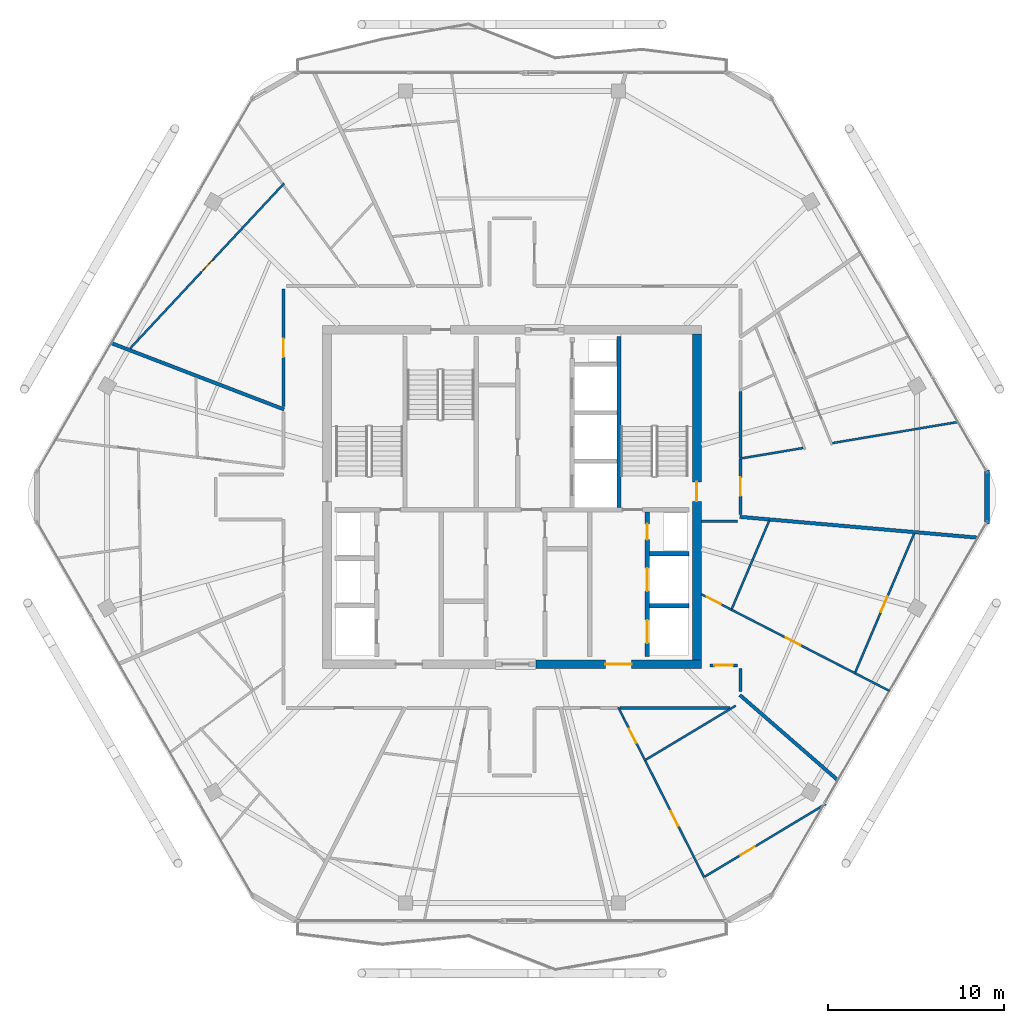
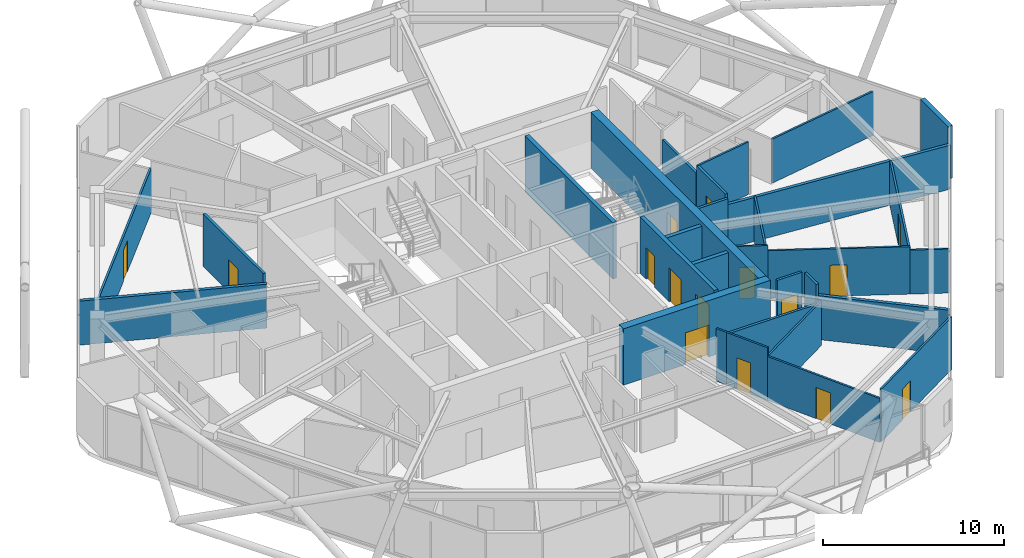
# One storey, part 19 of 23: 30 walls, 15 doors, 15 openings.
"""IFC4 building model written with IfcOpenShell, lengths in metres."""

import ifcopenshell
import ifcopenshell.guid

model = None  # the IFC model being written
_history = None  # IfcOwnerHistory: only IFC2X3 demands one
_inside = {}  # id of a spatial element -> (the spatial element, [elements in it])
_under = {}  # id of a project, library or spatial element -> (it, [spatial elements below it])
_declared = {}  # id of a project -> (the project, [libraries it declares])
_typed = {}  # id of a type object -> (the type object, [elements of that type])
_made_of = {}  # id of a material, layer set ... -> (it, [elements and type objects made of it])


def new_model(schema):
    """Start an empty IFC model of exactly this schema.

    Asked for "IFC4X3", IfcOpenShell would pick the latest addendum, in which some entities
    have other attributes; the version numbers below select the first issue.
    IFC2X3 requires an IfcOwnerHistory on every rooted entity: one is made here for all.
    """
    global model, _history
    if schema == "IFC4X3":
        model = ifcopenshell.file(schema_version=(4, 3, 0, 0))
    else:
        model = ifcopenshell.file(schema=schema)
    _inside.clear()
    _under.clear()
    _declared.clear()
    _typed.clear()
    _made_of.clear()
    _history = None
    if model.schema == "IFC2X3":
        org = make("IfcOrganization", Name="unknown")
        user = make(
            "IfcPersonAndOrganization",
            ThePerson=make("IfcPerson", FamilyName="unknown"),
            TheOrganization=org,
        )
        app = make(
            "IfcApplication",
            ApplicationDeveloper=org,
            Version="unknown",
            ApplicationFullName="unknown",
            ApplicationIdentifier="unknown",
        )
        _history = make(
            "IfcOwnerHistory",
            OwningUser=user,
            OwningApplication=app,
            ChangeAction="ADDED",
            CreationDate=0,
        )
    return model


def make(cls, **values):
    """One entity of the class cls with the attributes given. An attribute that is None is left unset."""
    return model.create_entity(
        cls, **{name: value for name, value in values.items() if value is not None}
    )


def rooted(cls, **values):
    """An entity with a GlobalId (a new one), such as an element, a storey or a relation."""
    return make(cls, GlobalId=ifcopenshell.guid.new(), OwnerHistory=_history, **values)


def si_unit(unit_type, name, prefix=None):
    """IfcSIUnit, for example si_unit("LENGTHUNIT", "METRE", prefix="MILLI")."""
    return make("IfcSIUnit", UnitType=unit_type, Prefix=prefix, Name=name)


def assignment(units):
    """IfcUnitAssignment: the units of a project."""
    return None if units is None else make("IfcUnitAssignment", Units=units)


def point(xyz):
    """IfcCartesianPoint."""
    return None if xyz is None else make("IfcCartesianPoint", Coordinates=xyz)


def direction(xyz):
    """IfcDirection."""
    return None if xyz is None else make("IfcDirection", DirectionRatios=xyz)


def frame(location, z_axis=None, x_axis=None):
    """IfcAxis2Placement3D, a coordinate frame: its origin and axes. An axis left out is left unset."""
    return make(
        "IfcAxis2Placement3D",
        Location=point(location),
        Axis=direction(z_axis),
        RefDirection=direction(x_axis),
    )


def frame_2d(location, x_axis=None):
    """IfcAxis2Placement2D, a coordinate frame in the plane: its origin and x axis."""
    return make(
        "IfcAxis2Placement2D", Location=point(location), RefDirection=direction(x_axis)
    )


def origin():
    """The frame at (0, 0, 0) with its axes left unset."""
    return frame((0.0, 0.0, 0.0))


def place(relative_to, where):
    """IfcLocalPlacement: puts the frame where relative to a parent placement (None: the world)."""
    return make(
        "IfcLocalPlacement", PlacementRelTo=relative_to, RelativePlacement=where
    )


def context(
    kind, dimensions, precision=None, world=None, true_north=None, identifier=None
):
    """IfcGeometricRepresentationContext, for example the 3D "Model" context."""
    return make(
        "IfcGeometricRepresentationContext",
        ContextIdentifier=identifier,
        ContextType=kind,
        CoordinateSpaceDimension=dimensions,
        Precision=precision,
        WorldCoordinateSystem=world,
        TrueNorth=true_north,
    )


def subcontext(parent, identifier, kind, view, scale=None):
    """IfcGeometricRepresentationSubContext, for example "Body" below "Model"."""
    return make(
        "IfcGeometricRepresentationSubContext",
        ContextIdentifier=identifier,
        ContextType=kind,
        ParentContext=parent,
        TargetScale=scale,
        TargetView=view,
    )


def project(units=None, contexts=None):
    """IfcProject with its units and contexts."""
    return rooted(
        "IfcProject",
        Name="project",
        RepresentationContexts=contexts,
        UnitsInContext=assignment(units),
    )


def spatial(cls, under=None, at=None, **own):
    """A site, building, storey or space (cls), placed at a placement, below another one or the project."""
    s = rooted(cls, ObjectPlacement=at, **own)
    if under is not None:
        _under.setdefault(under.id(), (under, []))[1].append(s)
    return s


def profile(cls, at=None, kind="AREA", **sizes):
    """A parametric profile (cls). Its sizes go by their IFC names, for example OverallWidth=200.0."""
    return make(cls, ProfileType=kind, Position=at, **sizes)


def rectangle(**sizes):
    """IfcRectangleProfileDef."""
    return profile("IfcRectangleProfileDef", **sizes)


def extrude(swept, where, along, depth):
    """IfcExtrudedAreaSolid: the profile swept, set in the frame where, extruded along a direction by depth."""
    return make(
        "IfcExtrudedAreaSolid",
        SweptArea=swept,
        Position=where,
        ExtrudedDirection=direction(along),
        Depth=depth,
    )


def shape(context_of_items, identifier, shape_type, items):
    """IfcShapeRepresentation: the items that make up one representation, for example the "Body"."""
    return make(
        "IfcShapeRepresentation",
        ContextOfItems=context_of_items,
        RepresentationIdentifier=identifier,
        RepresentationType=shape_type,
        Items=items,
    )


def material(Name=None, Category=None):
    """IfcMaterial."""
    return make("IfcMaterial", Name=Name, Category=Category)


def layer(
    of_material, thickness, ventilated=None, Name=None, Category=None, Priority=None
):
    """IfcMaterialLayer: one layer of a wall or slab, of a material (None: an air gap)."""
    return make(
        "IfcMaterialLayer",
        Material=of_material,
        LayerThickness=thickness,
        IsVentilated=ventilated,
        Name=Name,
        Category=Category,
        Priority=Priority,
    )


def layer_set(layers, Name=None):
    """IfcMaterialLayerSet."""
    return make("IfcMaterialLayerSet", MaterialLayers=layers, LayerSetName=Name)


def made_of(thing, what):
    """Note that an element or type object is made of a material, layer set ...; save() writes the relation."""
    if what is not None:
        _made_of.setdefault(what.id(), (what, []))[1].append(thing)
    return thing


def type_object(cls, material=None, **own):
    """A type object (cls), such as IfcWallType, which elements share."""
    return made_of(rooted(cls, **own), material)


def element(
    cls,
    number,
    at=None,
    inside=None,
    cuts=None,
    type_object=None,
    material=None,
    context=None,
    identifier="Body",
    shape_type=None,
    held_by="IfcProductDefinitionShape",
    body=None,
    shapes=None,
    **own,
):
    """One element of the class cls, such as IfcWall. Its Tag is "e" and its number.

    at: its placement. inside: the storey or other place that contains it. cuts: it is an
    opening in that element (IfcRelVoidsElement). A single representation is given by context,
    identifier, shape_type and body (its items); several are given by shapes. held_by: the class
    of the entity that holds the representations. save() writes the other relations.
    """
    e = rooted(cls, Tag="e%d" % number, ObjectPlacement=at, **own)
    if body is not None:
        shapes = [shape(context, identifier, shape_type, body)]
    if shapes is not None:
        e.Representation = make(held_by, Representations=shapes)
    if inside is not None:
        _inside.setdefault(inside.id(), (inside, []))[1].append(e)
    if cuts is not None:
        rooted(
            "IfcRelVoidsElement", RelatingBuildingElement=cuts, RelatedOpeningElement=e
        )
    if type_object is not None:
        _typed.setdefault(type_object.id(), (type_object, []))[1].append(e)
    return made_of(e, material)


def fill(opening, filler):
    """IfcRelFillsElement: the door or window that sits in an opening."""
    return rooted(
        "IfcRelFillsElement",
        RelatingOpeningElement=opening,
        RelatedBuildingElement=filler,
    )


def aggregate(whole, parts):
    """IfcRelAggregates: a whole, such as a stair, and the parts it consists of."""
    return rooted("IfcRelAggregates", RelatingObject=whole, RelatedObjects=parts)


def save(model, path):
    """Write the relations noted so far, then the file.

    IfcRelAggregates (storeys below a building ...), IfcRelContainedInSpatialStructure (elements
    in a storey), IfcRelDefinesByType, IfcRelAssociatesMaterial and IfcRelDeclares: one each for
    every whole, place, type object, material and project.
    """
    for whole, parts in _under.values():
        aggregate(whole, parts)
    for where, things in _inside.values():
        rooted(
            "IfcRelContainedInSpatialStructure",
            RelatedElements=things,
            RelatingStructure=where,
        )
    for kind, things in _typed.values():
        rooted("IfcRelDefinesByType", RelatedObjects=things, RelatingType=kind)
    for what, things in _made_of.values():
        rooted("IfcRelAssociatesMaterial", RelatedObjects=things, RelatingMaterial=what)
    for by, libraries in _declared.values():
        rooted("IfcRelDeclares", RelatingContext=by, RelatedDefinitions=libraries)
    model.write(path)


model = new_model("IFC4")

# Units and contexts
model_context = context("Model", 3, precision=1e-05, world=origin(), true_north=direction((0.0, 1.0)))
body_context = subcontext(model_context, "Body", "Model", "MODEL_VIEW")
ifc_project = project(units=[si_unit("LENGTHUNIT", "METRE"), si_unit("AREAUNIT", "SQUARE_METRE"), si_unit("VOLUMEUNIT", "CUBIC_METRE"), si_unit("PLANEANGLEUNIT", "RADIAN"), si_unit("MASSUNIT", "GRAM", prefix="KILO")], contexts=[model_context])

# Site, building, storey
site_placement = place(None, origin())
site = spatial("IfcSite", under=ifc_project, at=site_placement, CompositionType="ELEMENT")
building_placement = place(site_placement, origin())
building = spatial("IfcBuilding", under=site, at=building_placement, Name="Zuhravey Tower", CompositionType="ELEMENT")
storey_placement = place(building_placement, frame((0.0, 0.0, 323.39990234375)))
storey = spatial("IfcBuildingStorey", under=building, at=storey_placement, Name="L82", CompositionType="ELEMENT", Elevation=323.39990234375)

# Wall, opening, door
ifc_material_1 = material(Name="Concrete C50/60", Category="concrete")
ifc_layer_1 = layer(ifc_material_1, 0.5)
ifc_layer_set_1 = layer_set([ifc_layer_1], Name="Concrete C50/60")
wall_type_1 = type_object("IfcWallType", Name="Core Shear Wall 500", PredefinedType="SHEAR", material=ifc_layer_set_1)
wall_1_placement = place(storey_placement, frame((37.35009765625, 22.5, 0.0), z_axis=(0.0, 0.0, 1.0), x_axis=(1.0, 0.0, 0.0)))
wall_1 = element("IfcWall", 1, at=wall_1_placement, inside=storey, type_object=wall_type_1, Name="L82 South-East Core Shear Wall CW50", PredefinedType="SHEAR", context=body_context, shape_type="SweptSolid", body=[
    extrude(rectangle(XDim=9.39990234375, YDim=0.5, at=frame_2d((4.699951171875, 0.0))), origin(), (0.0, 0.0, 1.0), 3.800048828125),
])
opening_1_placement = place(wall_1_placement, frame((3.949951171875, 0.0, 0.0)))
opening_1 = element("IfcOpeningElement", 2, at=opening_1_placement, cuts=wall_1, Name="Opening FFD1", PredefinedType="OPENING", context=body_context, shape_type="SweptSolid", body=[
    extrude(rectangle(XDim=1.5, YDim=2.14990234375, at=frame_2d((0.75, 1.074951171875))), frame((0.0, 0.261962890625, 0.0), z_axis=(0.0, -1.0, 0.0), x_axis=(1.0, 0.0, 0.0)), (0.0, 0.0, 1.0), 0.52392578125),
])
ifc_material_2 = material(Name="Galvanised fire-rated steel leaf", Category="steel")
door_type_1 = type_object("IfcDoorType", Name="Firefighting Lobby Double Door 1500x2150", OperationType="DOUBLE_DOOR_SINGLE_SWING", PredefinedType="DOOR", material=ifc_material_2)
door_1_placement = place(opening_1_placement, origin())
door_1 = element("IfcDoor", 3, at=door_1_placement, inside=storey, type_object=door_type_1, Name="L82 Firefighting Lobby East Door", OperationType="DOUBLE_DOOR_SINGLE_SWING", OverallHeight=2.14990234375, OverallWidth=1.5, PredefinedType="DOOR", context=body_context, shape_type="SweptSolid", body=[
    extrude(rectangle(XDim=1.5, YDim=2.14990234375, at=frame_2d((0.75, 1.074951171875))), frame((0.0, 0.02490234375, 0.0), z_axis=(0.0, -1.0, 0.0), x_axis=(1.0, 0.0, 0.0)), (0.0, 0.0, 1.0), 0.050048828125),
])
fill(opening_1, door_1)

wall_2_placement = place(storey_placement, frame((46.5, 22.75, 0.0), z_axis=(0.0, 0.0, 1.0), x_axis=(0.0, 1.0, 0.0)))
wall_2 = element("IfcWall", 4, at=wall_2_placement, inside=storey, type_object=wall_type_1, Name="L82 East Core Shear Wall CW50", PredefinedType="SHEAR", context=body_context, shape_type="SweptSolid", body=[
    extrude(rectangle(XDim=18.5, YDim=0.5, at=frame_2d((9.25, 0.0))), origin(), (0.0, 0.0, 1.0), 3.800048828125),
])
opening_2_placement = place(wall_2_placement, frame((9.0, 0.0, 0.0)))
opening_2 = element("IfcOpeningElement", 5, at=opening_2_placement, cuts=wall_2, Name="Opening STD1", PredefinedType="OPENING", context=body_context, shape_type="SweptSolid", body=[
    extrude(rectangle(XDim=1.10009765625, YDim=2.14990234375, at=frame_2d((0.550048828125, 1.074951171875))), frame((0.0, 0.261962890625, 0.0), z_axis=(0.0, -1.0, 0.0), x_axis=(1.0, 0.0, 0.0)), (0.0, 0.0, 1.0), 0.52392578125),
])
door_type_2 = type_object("IfcDoorType", Name="Protected Stair Fire Door 1100x2150", OperationType="NOTDEFINED", PredefinedType="USERDEFINED", material=ifc_material_2)
door_2_placement = place(opening_2_placement, origin())
door_2 = element("IfcDoor", 6, at=door_2_placement, inside=storey, type_object=door_type_2, Name="L82 Stair ST2 Door", ObjectType="EXITDOOR", OperationType="SINGLE_SWING_RIGHT", OverallHeight=2.14990234375, OverallWidth=1.10009765625, PredefinedType="USERDEFINED", context=body_context, shape_type="SweptSolid", body=[
    extrude(rectangle(XDim=1.10009765625, YDim=2.14990234375, at=frame_2d((0.550048828125, 1.074951171875))), frame((0.0, 0.02490234375, 0.0), z_axis=(0.0, -1.0, 0.0), x_axis=(1.0, 0.0, 0.0)), (0.0, 0.0, 1.0), 0.050048828125),
])
fill(opening_2, door_2)

ifc_material_3 = material(Name="Gypsum fire-rated stud partition")
ifc_layer_2 = layer(ifc_material_3, 0.159912109375)
ifc_layer_set_2 = layer_set([ifc_layer_2], Name="Gypsum fire-rated stud partition")
wall_type_2 = type_object("IfcWallType", Name="Corridor Fire Partition 160", PredefinedType="PARTITIONING", material=ifc_layer_set_2)
wall_3_placement = place(storey_placement, frame((23.02001953125, 43.800048828125, 0.0), z_axis=(0.0, 0.0, 1.0), x_axis=(0.0, -1.0, 0.0)))
wall_3 = element("IfcWall", 7, at=wall_3_placement, inside=storey, type_object=wall_type_2, Name="L82 IW16 Partition 025", PredefinedType="PARTITIONING", context=body_context, shape_type="SweptSolid", body=[
    extrude(rectangle(XDim=6.66552734375, YDim=0.159912109375, at=frame_2d((3.332763671875, 0.0))), origin(), (0.0, 0.0, 1.0), 3.550048828125),
])
opening_3_placement = place(wall_3_placement, frame((2.8076171875, 0.0, 0.0)))
opening_3 = element("IfcOpeningElement", 8, at=opening_3_placement, cuts=wall_3, Name="Opening APD1", PredefinedType="OPENING", context=body_context, shape_type="SweptSolid", body=[
    extrude(rectangle(XDim=1.050048828125, YDim=2.14990234375, at=frame_2d((0.52490234375, 1.074951171875))), frame((0.0, 0.092041015625, 0.0), z_axis=(0.0, -1.0, 0.0), x_axis=(1.0, 0.0, 0.0)), (0.0, 0.0, 1.0), 0.183837890625),
])
ifc_material_4 = material(Name="Solid-core oak fire-rated leaf")
door_type_3 = type_object("IfcDoorType", Name="Apartment Entrance Fire Door 1050x2150", OperationType="NOTDEFINED", PredefinedType="DOOR", material=ifc_material_4)
door_3_placement = place(opening_3_placement, frame((1.050048828125, 0.0, 0.0), z_axis=(0.0, 0.0, 1.0), x_axis=(-1.0, 0.0, 0.0)))
door_3 = element("IfcDoor", 9, at=door_3_placement, inside=storey, type_object=door_type_3, Name="L82 Door 025.1", OperationType="SINGLE_SWING_RIGHT", OverallHeight=2.14990234375, OverallWidth=1.050048828125, PredefinedType="DOOR", context=body_context, shape_type="SweptSolid", body=[
    extrude(rectangle(XDim=1.050048828125, YDim=2.14990234375, at=frame_2d((0.52490234375, 1.074951171875))), frame((0.0, 0.02490234375, 0.0), z_axis=(0.0, -1.0, 0.0), x_axis=(1.0, 0.0, 0.0)), (0.0, 0.0, 1.0), 0.050048828125),
])
fill(opening_3, door_3)

wall_4_placement = place(storey_placement, frame((48.800048828125, 22.429931640625, 0.0), z_axis=(0.0, 0.0, 1.0), x_axis=(-1.0, 0.0, 0.0)))
wall_4 = element("IfcWall", 10, at=wall_4_placement, inside=storey, type_object=wall_type_2, Name="L82 IW16 Partition 047", PredefinedType="PARTITIONING", context=body_context, shape_type="SweptSolid", body=[
    extrude(rectangle(XDim=1.564208984375, YDim=0.159912109375, at=frame_2d((0.7822265625, 0.0))), origin(), (0.0, 0.0, 1.0), 3.550048828125),
])
opening_4_placement = place(wall_4_placement, frame((0.257080078125, 0.0, 0.0)))
opening_4 = element("IfcOpeningElement", 11, at=opening_4_placement, cuts=wall_4, Name="Opening APD1", PredefinedType="OPENING", context=body_context, shape_type="SweptSolid", body=[
    extrude(rectangle(XDim=1.050048828125, YDim=2.14990234375, at=frame_2d((0.52490234375, 1.074951171875))), frame((0.0, 0.092041015625, 0.0), z_axis=(0.0, -1.0, 0.0), x_axis=(1.0, 0.0, 0.0)), (0.0, 0.0, 1.0), 0.183837890625),
])
door_4_placement = place(opening_4_placement, origin())
door_4 = element("IfcDoor", 12, at=door_4_placement, inside=storey, type_object=door_type_3, Name="L82 Door 047.1", OperationType="SINGLE_SWING_RIGHT", OverallHeight=2.14990234375, OverallWidth=1.050048828125, PredefinedType="DOOR", context=body_context, shape_type="SweptSolid", body=[
    extrude(rectangle(XDim=1.050048828125, YDim=2.14990234375, at=frame_2d((0.52490234375, 1.074951171875))), frame((0.0, 0.02490234375, 0.0), z_axis=(0.0, -1.0, 0.0), x_axis=(1.0, 0.0, 0.0)), (0.0, 0.0, 1.0), 0.050048828125),
])
fill(opening_4, door_4)

wall_5_placement = place(storey_placement, frame((48.97998046875, 30.99853515625, 0.0), z_axis=(0.0, 0.0, 1.0), x_axis=(0.0, 1.0, 0.0)))
wall_5 = element("IfcWall", 13, at=wall_5_placement, inside=storey, type_object=wall_type_2, Name="L82 IW16 Partition 050", PredefinedType="PARTITIONING", context=body_context, shape_type="SweptSolid", body=[
    extrude(rectangle(XDim=3.16259765625, YDim=0.159912109375, at=frame_2d((1.581298828125, 0.0))), origin(), (0.0, 0.0, 1.0), 3.550048828125),
])
opening_5_placement = place(wall_5_placement, frame((1.056396484375, 0.0, 0.0)))
opening_5 = element("IfcOpeningElement", 14, at=opening_5_placement, cuts=wall_5, Name="Opening APD1", PredefinedType="OPENING", context=body_context, shape_type="SweptSolid", body=[
    extrude(rectangle(XDim=1.050048828125, YDim=2.14990234375, at=frame_2d((0.52490234375, 1.074951171875))), frame((0.0, 0.092041015625, 0.0), z_axis=(0.0, -1.0, 0.0), x_axis=(1.0, 0.0, 0.0)), (0.0, 0.0, 1.0), 0.183837890625),
])
door_5_placement = place(opening_5_placement, frame((1.050048828125, 0.0, 0.0), z_axis=(0.0, 0.0, 1.0), x_axis=(-1.0, 0.0, 0.0)))
door_5 = element("IfcDoor", 15, at=door_5_placement, inside=storey, type_object=door_type_3, Name="L82 Door 050.1", OperationType="SINGLE_SWING_LEFT", OverallHeight=2.14990234375, OverallWidth=1.050048828125, PredefinedType="DOOR", context=body_context, shape_type="SweptSolid", body=[
    extrude(rectangle(XDim=1.050048828125, YDim=2.14990234375, at=frame_2d((0.52490234375, 1.074951171875))), frame((0.0, 0.02490234375, 0.0), z_axis=(0.0, -1.0, 0.0), x_axis=(1.0, 0.0, 0.0)), (0.0, 0.0, 1.0), 0.050048828125),
])
fill(opening_5, door_5)

# Walls
wall_6_placement = place(storey_placement, frame((42.127685546875, 20.02001953125, 0.0), z_axis=(0.0, 0.0, 1.0), x_axis=(1.0, 0.0, 0.0)))
element("IfcWall", 16, at=wall_6_placement, inside=storey, type_object=wall_type_2, Name="L82 IW16 Partition 106", PredefinedType="PARTITIONING", context=body_context, shape_type="SweptSolid", body=[
    extrude(rectangle(XDim=6.244140625, YDim=0.159912109375, at=frame_2d((3.1220703125, 0.0))), origin(), (0.0, 0.0, 1.0), 3.0),
])
wall_7_placement = place(storey_placement, frame((48.97998046875, 20.940185546875, 0.0), z_axis=(0.0, 0.0, 1.0), x_axis=(0.0, 1.0, 0.0)))
element("IfcWall", 17, at=wall_7_placement, inside=storey, type_object=wall_type_2, Name="L82 IW16 Partition 107", PredefinedType="PARTITIONING", context=body_context, shape_type="SweptSolid", body=[
    extrude(rectangle(XDim=1.309814453125, YDim=0.159912109375, at=frame_2d((0.65478515625, 0.0))), origin(), (0.0, 0.0, 1.0), 3.550048828125),
])
wall_8_placement = place(storey_placement, frame((46.77001953125, 30.6201171875, 0.0), z_axis=(0.0, 0.0, 1.0), x_axis=(1.0, 0.0, 0.0)))
element("IfcWall", 18, at=wall_8_placement, inside=storey, type_object=wall_type_2, Name="L82 IW16 Partition 108", PredefinedType="PARTITIONING", context=body_context, shape_type="SweptSolid", body=[
    extrude(rectangle(XDim=2.030029296875, YDim=0.159912109375, at=frame_2d((1.01513671875, 0.0))), origin(), (0.0, 0.0, 1.0), 3.550048828125),
])
wall_9_placement = place(storey_placement, frame((48.97998046875, 34.25048828125, 0.0), z_axis=(0.0, 0.0, 1.0), x_axis=(0.0, 1.0, 0.0)))
element("IfcWall", 19, at=wall_9_placement, inside=storey, type_object=wall_type_2, Name="L82 IW16 Partition 109", PredefinedType="PARTITIONING", context=body_context, shape_type="SweptSolid", body=[
    extrude(rectangle(XDim=3.731201171875, YDim=0.159912109375, at=frame_2d((1.86572265625, 0.0))), origin(), (0.0, 0.0, 1.0), 3.0),
])
ifc_material_5 = material(Name="Precast concrete C40/50", Category="concrete")
ifc_layer_3 = layer(ifc_material_5, 0.280029296875)
ifc_layer_set_3 = layer_set([ifc_layer_3], Name="Precast concrete C40/50")
wall_type_3 = type_object("IfcWallType", Name="Crown Architectural Wall 280", PredefinedType="SOLIDWALL", material=ifc_layer_set_3)
wall_10_placement = place(storey_placement, frame((62.968505859375, 33.532470703125, 0.0), z_axis=(0.0, 0.0, 1.0), x_axis=(0.0, -1.0, 0.0)))
element("IfcWall", 20, at=wall_10_placement, inside=storey, type_object=wall_type_3, Name="L82 Rounded Corner Closure Wall EW28-12", PredefinedType="SOLIDWALL", context=body_context, shape_type="SweptSolid", body=[
    extrude(rectangle(XDim=3.06494140625, YDim=0.280029296875, at=frame_2d((1.532470703125, 0.0))), origin(), (0.0, 0.0, 1.0), 3.550048828125),
])
ifc_layer_4 = layer(ifc_material_1, 0.25)
ifc_layer_set_4 = layer_set([ifc_layer_4], Name="Concrete C50/60")
wall_type_4 = type_object("IfcWallType", Name="Firefighting Shaft & Stair Wall 250", PredefinedType="SOLIDWALL", material=ifc_layer_set_4)
wall_11_placement = place(storey_placement, frame((42.074951171875, 31.39990234375, 0.0), z_axis=(0.0, 0.0, 1.0), x_axis=(0.0, 1.0, 0.0)))
element("IfcWall", 21, at=wall_11_placement, inside=storey, type_object=wall_type_4, Name="L82 FW25 Shaft Wall 006", PredefinedType="SOLIDWALL", context=body_context, shape_type="SweptSolid", body=[
    extrude(rectangle(XDim=9.7001953125, YDim=0.25, at=frame_2d((4.85009765625, 0.0))), origin(), (0.0, 0.0, 1.0), 3.800048828125),
])
for number, where, z_axis, x_axis, name in (
    (22, (43.800048828125, 25.824951171875, 0.0), (0.0, 0.0, 1.0), (1.0, 0.0, 0.0), "L82 FW25 Shaft Wall 018"),
    (23, (43.800048828125, 28.77490234375, 0.0), (0.0, 0.0, 1.0), (1.0, 0.0, 0.0), "L82 FW25 Shaft Wall 019"),
):
    element("IfcWall", number, at=place(storey_placement, frame(where, z_axis=z_axis, x_axis=x_axis)), inside=storey, type_object=wall_type_4, Name=name, PredefinedType="SOLIDWALL", context=body_context, shape_type="SweptSolid", body=[
        extrude(rectangle(XDim=2.25, YDim=0.25, at=frame_2d((1.125, 0.0))), origin(), (0.0, 0.0, 1.0), 3.800048828125),
    ])

# Wall, openings, doors
wall_12_placement = place(storey_placement, frame((43.675048828125, 22.949951171875, 0.0), z_axis=(0.0, 0.0, 1.0), x_axis=(0.0, 1.0, 0.0)))
wall_12 = element("IfcWall", 24, at=wall_12_placement, inside=storey, type_object=wall_type_4, Name="L82 FW25 Shaft Wall 020", PredefinedType="SOLIDWALL", context=body_context, shape_type="SweptSolid", body=[
    extrude(rectangle(XDim=8.199951171875, YDim=0.25, at=frame_2d((4.10009765625, 0.0))), origin(), (0.0, 0.0, 1.0), 3.800048828125),
])
opening_6_placement = place(wall_12_placement, frame((0.75, 0.0, 0.0)))
opening_6 = element("IfcOpeningElement", 25, at=opening_6_placement, cuts=wall_12, Name="Opening LD2", PredefinedType="OPENING", context=body_context, shape_type="SweptSolid", body=[
    extrude(rectangle(XDim=1.300048828125, YDim=2.300048828125, at=frame_2d((0.64990234375, 1.14990234375))), frame((0.0, 0.136962890625, 0.0), z_axis=(0.0, -1.0, 0.0), x_axis=(1.0, 0.0, 0.0)), (0.0, 0.0, 1.0), 0.27392578125),
])
opening_7_placement = place(wall_12_placement, frame((3.699951171875, 0.0, 0.0)))
opening_7 = element("IfcOpeningElement", 26, at=opening_7_placement, cuts=wall_12, Name="Opening LD2", PredefinedType="OPENING", context=body_context, shape_type="SweptSolid", body=[
    extrude(rectangle(XDim=1.300048828125, YDim=2.300048828125, at=frame_2d((0.64990234375, 1.14990234375))), frame((0.0, 0.136962890625, 0.0), z_axis=(0.0, -1.0, 0.0), x_axis=(1.0, 0.0, 0.0)), (0.0, 0.0, 1.0), 0.27392578125),
])
opening_8_placement = place(wall_12_placement, frame((6.6201171875, 0.0, 0.0)))
opening_8 = element("IfcOpeningElement", 27, at=opening_8_placement, cuts=wall_12, Name="Opening RSD1", PredefinedType="OPENING", context=body_context, shape_type="SweptSolid", body=[
    extrude(rectangle(XDim=0.89990234375, YDim=2.10009765625, at=frame_2d((0.449951171875, 1.050048828125))), frame((0.0, 0.136962890625, 0.0), z_axis=(0.0, -1.0, 0.0), x_axis=(1.0, 0.0, 0.0)), (0.0, 0.0, 1.0), 0.27392578125),
])
ifc_material_6 = material(Name="Brushed stainless steel", Category="steel")
door_type_4 = type_object("IfcDoorType", Name="Freight & Stretcher Lift Sliding Door 1300x2300", OperationType="DOUBLE_DOOR_SLIDING", PredefinedType="DOOR", material=ifc_material_6)
door_6_placement = place(opening_6_placement, origin())
door_6 = element("IfcDoor", 28, at=door_6_placement, inside=storey, type_object=door_type_4, Name="L82 Lift FF2 Landing Door", OperationType="DOUBLE_DOOR_SLIDING", OverallHeight=2.300048828125, OverallWidth=1.300048828125, PredefinedType="DOOR", context=body_context, shape_type="SweptSolid", body=[
    extrude(rectangle(XDim=1.300048828125, YDim=2.300048828125, at=frame_2d((0.64990234375, 1.14990234375))), frame((0.0, 0.02490234375, 0.0), z_axis=(0.0, -1.0, 0.0), x_axis=(1.0, 0.0, 0.0)), (0.0, 0.0, 1.0), 0.050048828125),
])
fill(opening_6, door_6)
door_7_placement = place(opening_7_placement, origin())
door_7 = element("IfcDoor", 29, at=door_7_placement, inside=storey, type_object=door_type_4, Name="L82 Lift SV1 Landing Door", OperationType="DOUBLE_DOOR_SLIDING", OverallHeight=2.300048828125, OverallWidth=1.300048828125, PredefinedType="DOOR", context=body_context, shape_type="SweptSolid", body=[
    extrude(rectangle(XDim=1.300048828125, YDim=2.300048828125, at=frame_2d((0.64990234375, 1.14990234375))), frame((0.0, 0.02490234375, 0.0), z_axis=(0.0, -1.0, 0.0), x_axis=(1.0, 0.0, 0.0)), (0.0, 0.0, 1.0), 0.050048828125),
])
fill(opening_7, door_7)
ifc_material_7 = material(Name="Galvanised fire-rated steel access leaf", Category="steel")
door_type_5 = type_object("IfcDoorType", Name="Riser & Shaft Access Fire Door 900x2100", OperationType="NOTDEFINED", PredefinedType="DOOR", material=ifc_material_7)
door_8_placement = place(opening_8_placement, origin())
door_8 = element("IfcDoor", 30, at=door_8_placement, inside=storey, type_object=door_type_5, Name="L82 Plumbing Riser Door", OperationType="SINGLE_SWING_RIGHT", OverallHeight=2.10009765625, OverallWidth=0.89990234375, PredefinedType="DOOR", context=body_context, shape_type="SweptSolid", body=[
    extrude(rectangle(XDim=0.89990234375, YDim=2.10009765625, at=frame_2d((0.449951171875, 1.050048828125))), frame((0.0, 0.02490234375, 0.0), z_axis=(0.0, -1.0, 0.0), x_axis=(1.0, 0.0, 0.0)), (0.0, 0.0, 1.0), 0.050048828125),
])
fill(opening_8, door_8)

# Walls
ifc_material_8 = material(Name="Gypsum double-stud party assembly")
ifc_layer_5 = layer(ifc_material_8, 0.199951171875)
ifc_layer_set_5 = layer_set([ifc_layer_5], Name="Gypsum double-stud party assembly")
wall_type_5 = type_object("IfcWallType", Name="Inter-Tenancy Party Wall 200", PredefinedType="PARTITIONING", material=ifc_layer_set_5)
wall_13_placement = place(storey_placement, frame((23.06005859375, 36.96728515625, 0.0), z_axis=(0.0, 0.0, 1.0), x_axis=(-0.933584200724, 0.358358117194, 0.0)))
element("IfcWall", 31, at=wall_13_placement, inside=storey, type_object=wall_type_5, Name="L82 IW20 Partition 063", PredefinedType="PARTITIONING", context=body_context, shape_type="SweptSolid", body=[
    extrude(rectangle(XDim=10.513427734375, YDim=0.199951171875, at=frame_2d((5.2568359375, 0.0))), origin(), (0.0, 0.0, 1.0), 2.97021484375),
])
wall_14_placement = place(storey_placement, frame((48.93994140625, 20.75146484375, 0.0), z_axis=(0.0, 0.0, 1.0), x_axis=(0.754714491072, -0.656053379662, 0.0)))
element("IfcWall", 32, at=wall_14_placement, inside=storey, type_object=wall_type_5, Name="L82 IW20 Partition 079", PredefinedType="PARTITIONING", context=body_context, shape_type="SweptSolid", body=[
    extrude(rectangle(XDim=7.379150390625, YDim=0.199951171875, at=frame_2d((3.689453125, 0.0))), origin(), (0.0, 0.0, 1.0), 2.97021484375),
])
wall_15_placement = place(storey_placement, frame((48.93994140625, 30.867919921875, 0.0), z_axis=(0.0, 0.0, 1.0), x_axis=(0.996194010343, -0.087163603397, 0.0)))
element("IfcWall", 33, at=wall_15_placement, inside=storey, type_object=wall_type_5, Name="L82 IW20 Partition 082", PredefinedType="PARTITIONING", context=body_context, shape_type="SweptSolid", body=[
    extrude(rectangle(XDim=13.573486328125, YDim=0.199951171875, at=frame_2d((6.78662109375, 0.0))), origin(), (0.0, 0.0, 1.0), 2.97021484375),
])

# Wall, opening, door
ifc_material_9 = material(Name="Gypsum metal-stud partition")
ifc_layer_6 = layer(ifc_material_9, 0.1201171875)
ifc_layer_set_6 = layer_set([ifc_layer_6], Name="Gypsum metal-stud partition")
wall_type_6 = type_object("IfcWallType", Name="Unit Internal Partition 120", PredefinedType="PARTITIONING", material=ifc_layer_set_6)
wall_16_placement = place(storey_placement, frame((23.0615234375, 49.81494140625, 0.0), z_axis=(0.0, 0.0, 1.0), x_axis=(-0.681996709379, -0.731355240903, 0.0)))
wall_16 = element("IfcWall", 34, at=wall_16_placement, inside=storey, type_object=wall_type_6, Name="L82 IW12 Partition 021", PredefinedType="PARTITIONING", context=body_context, shape_type="SweptSolid", body=[
    extrude(rectangle(XDim=12.82568359375, YDim=0.1201171875, at=frame_2d((6.412841796875, 0.0))), origin(), (0.0, 0.0, 1.0), 2.97021484375),
])
opening_9_placement = place(wall_16_placement, frame((5.93798828125, 0.0, 0.0)))
opening_9 = element("IfcOpeningElement", 35, at=opening_9_placement, cuts=wall_16, Name="Opening IND1", PredefinedType="OPENING", context=body_context, shape_type="SweptSolid", body=[
    extrude(rectangle(XDim=0.949951171875, YDim=2.10009765625, at=frame_2d((0.47509765625, 1.050048828125))), frame((0.0, 0.072021484375, 0.0), z_axis=(0.0, -1.0, 0.0), x_axis=(1.0, 0.0, 0.0)), (0.0, 0.0, 1.0), 0.14404296875),
])
ifc_material_10 = material(Name="Painted engineered timber leaf", Category="wood")
door_type_6 = type_object("IfcDoorType", Name="Internal Room & Bedroom Door 950x2100", OperationType="NOTDEFINED", PredefinedType="DOOR", material=ifc_material_10)
door_9_placement = place(opening_9_placement, frame((0.949951171875, 0.0, 0.0), z_axis=(0.0, 0.0, 1.0), x_axis=(-1.0, 0.0, 0.0)))
door_9 = element("IfcDoor", 36, at=door_9_placement, inside=storey, type_object=door_type_6, Name="Apartment L82-01 Family Study Door", OperationType="SINGLE_SWING_LEFT", OverallHeight=2.10009765625, OverallWidth=0.949951171875, PredefinedType="DOOR", context=body_context, shape_type="SweptSolid", body=[
    extrude(rectangle(XDim=0.949951171875, YDim=2.10009765625, at=frame_2d((0.47509765625, 1.050048828125))), frame((0.0, 0.02490234375, 0.0), z_axis=(0.0, -1.0, 0.0), x_axis=(1.0, 0.0, 0.0)), (0.0, 0.0, 1.0), 0.050048828125),
])
fill(opening_9, door_9)

wall_17_placement = place(storey_placement, frame((42.339599609375, 19.449951171875, 0.0), z_axis=(0.0, 0.0, 1.0), x_axis=(0.45083817538, -0.892605702211, 0.0)))
wall_17 = element("IfcWall", 37, at=wall_17_placement, inside=storey, type_object=wall_type_6, Name="L82 IW12 Partition 040", PredefinedType="PARTITIONING", context=body_context, shape_type="SweptSolid", body=[
    extrude(rectangle(XDim=2.718505859375, YDim=0.1201171875, at=frame_2d((1.359375, 0.0))), origin(), (0.0, 0.0, 1.0), 3.550048828125),
])
opening_10_placement = place(wall_17_placement, frame((0.69189453125, 0.0, 0.0)))
opening_10 = element("IfcOpeningElement", 38, at=opening_10_placement, cuts=wall_17, Name="Opening WCD1", PredefinedType="OPENING", context=body_context, shape_type="SweptSolid", body=[
    extrude(rectangle(XDim=0.89990234375, YDim=2.10009765625, at=frame_2d((0.449951171875, 1.050048828125))), frame((0.0, 0.072021484375, 0.0), z_axis=(0.0, -1.0, 0.0), x_axis=(1.0, 0.0, 0.0)), (0.0, 0.0, 1.0), 0.14404296875),
])
ifc_material_11 = material(Name="Moisture-resistant timber leaf", Category="wood")
door_type_7 = type_object("IfcDoorType", Name="Bathroom & WC Internal Door 900x2100", OperationType="NOTDEFINED", PredefinedType="DOOR", material=ifc_material_11)
door_10_placement = place(opening_10_placement, origin())
door_10 = element("IfcDoor", 39, at=door_10_placement, inside=storey, type_object=door_type_7, Name="Apartment L82-05 Bathroom Door", OperationType="SINGLE_SWING_LEFT", OverallHeight=2.10009765625, OverallWidth=0.89990234375, PredefinedType="DOOR", context=body_context, shape_type="SweptSolid", body=[
    extrude(rectangle(XDim=0.89990234375, YDim=2.10009765625, at=frame_2d((0.449951171875, 1.050048828125))), frame((0.0, 0.02490234375, 0.0), z_axis=(0.0, -1.0, 0.0), x_axis=(1.0, 0.0, 0.0)), (0.0, 0.0, 1.0), 0.050048828125),
])
fill(opening_10, door_10)

wall_18_placement = place(storey_placement, frame((43.565185546875, 17.0234375, 0.0), z_axis=(0.0, 0.0, 1.0), x_axis=(0.450887042269, -0.892581018796, 0.0)))
wall_18 = element("IfcWall", 40, at=wall_18_placement, inside=storey, type_object=wall_type_6, Name="L82 IW12 Partition 041", PredefinedType="PARTITIONING", context=body_context, shape_type="SweptSolid", body=[
    extrude(rectangle(XDim=7.43603515625, YDim=0.1201171875, at=frame_2d((3.718017578125, 0.0))), origin(), (0.0, 0.0, 1.0), 2.97021484375),
])
opening_11_placement = place(wall_18_placement, frame((3.218017578125, 0.0, 0.0)))
opening_11 = element("IfcOpeningElement", 41, at=opening_11_placement, cuts=wall_18, Name="Opening IND1", PredefinedType="OPENING", context=body_context, shape_type="SweptSolid", body=[
    extrude(rectangle(XDim=0.949951171875, YDim=2.10009765625, at=frame_2d((0.47509765625, 1.050048828125))), frame((0.0, 0.072021484375, 0.0), z_axis=(0.0, -1.0, 0.0), x_axis=(1.0, 0.0, 0.0)), (0.0, 0.0, 1.0), 0.14404296875),
])
door_11_placement = place(opening_11_placement, origin())
door_11 = element("IfcDoor", 42, at=door_11_placement, inside=storey, type_object=door_type_6, Name="Apartment L82-05 Home Office Door", OperationType="SINGLE_SWING_RIGHT", OverallHeight=2.10009765625, OverallWidth=0.949951171875, PredefinedType="DOOR", context=body_context, shape_type="SweptSolid", body=[
    extrude(rectangle(XDim=0.949951171875, YDim=2.10009765625, at=frame_2d((0.47509765625, 1.050048828125))), frame((0.0, 0.02490234375, 0.0), z_axis=(0.0, -1.0, 0.0), x_axis=(1.0, 0.0, 0.0)), (0.0, 0.0, 1.0), 0.050048828125),
])
fill(opening_11, door_11)

wall_19_placement = place(storey_placement, frame((46.965087890625, 10.443603515625, 0.0), z_axis=(0.0, 0.0, 1.0), x_axis=(0.857167053884, 0.515038485683, 0.0)))
wall_19 = element("IfcWall", 43, at=wall_19_placement, inside=storey, type_object=wall_type_6, Name="L82 IW12 Partition 042", PredefinedType="PARTITIONING", context=body_context, shape_type="SweptSolid", body=[
    extrude(rectangle(XDim=8.0029296875, YDim=0.1201171875, at=frame_2d((4.00146484375, 0.0))), origin(), (0.0, 0.0, 1.0), 3.550048828125),
])
opening_12_placement = place(wall_19_placement, frame((2.34228515625, 0.0, 0.0)))
opening_12 = element("IfcOpeningElement", 44, at=opening_12_placement, cuts=wall_19, Name="Opening IND1", PredefinedType="OPENING", context=body_context, shape_type="SweptSolid", body=[
    extrude(rectangle(XDim=0.949951171875, YDim=2.10009765625, at=frame_2d((0.47509765625, 1.050048828125))), frame((0.0, 0.072021484375, 0.0), z_axis=(0.0, -1.0, 0.0), x_axis=(1.0, 0.0, 0.0)), (0.0, 0.0, 1.0), 0.14404296875),
])
door_12_placement = place(opening_12_placement, frame((0.949951171875, 0.0, 0.0), z_axis=(0.0, 0.0, 1.0), x_axis=(-1.0, 0.0, 0.0)))
door_12 = element("IfcDoor", 45, at=door_12_placement, inside=storey, type_object=door_type_6, Name="Apartment L82-05 Bedroom 1 Door", OperationType="SINGLE_SWING_LEFT", OverallHeight=2.10009765625, OverallWidth=0.949951171875, PredefinedType="DOOR", context=body_context, shape_type="SweptSolid", body=[
    extrude(rectangle(XDim=0.949951171875, YDim=2.10009765625, at=frame_2d((0.47509765625, 1.050048828125))), frame((0.0, 0.02490234375, 0.0), z_axis=(0.0, -1.0, 0.0), x_axis=(1.0, 0.0, 0.0)), (0.0, 0.0, 1.0), 0.050048828125),
])
fill(opening_12, door_12)

wall_20_placement = place(storey_placement, frame((46.758056640625, 26.47119140625, 0.0), z_axis=(0.0, 0.0, 1.0), x_axis=(0.889392970677, -0.457143460755, 0.0)))
wall_20 = element("IfcWall", 46, at=wall_20_placement, inside=storey, type_object=wall_type_6, Name="L82 IW12 Partition 044", PredefinedType="PARTITIONING", context=body_context, shape_type="SweptSolid", body=[
    extrude(rectangle(XDim=1.94189453125, YDim=0.1201171875, at=frame_2d((0.970947265625, 0.0))), origin(), (0.0, 0.0, 1.0), 3.550048828125),
])
opening_13_placement = place(wall_20_placement, frame((0.343994140625, 0.0, 0.0)))
opening_13 = element("IfcOpeningElement", 47, at=opening_13_placement, cuts=wall_20, Name="Opening WCD1", PredefinedType="OPENING", context=body_context, shape_type="SweptSolid", body=[
    extrude(rectangle(XDim=0.89990234375, YDim=2.10009765625, at=frame_2d((0.449951171875, 1.050048828125))), frame((0.0, 0.072021484375, 0.0), z_axis=(0.0, -1.0, 0.0), x_axis=(1.0, 0.0, 0.0)), (0.0, 0.0, 1.0), 0.14404296875),
])
door_13_placement = place(opening_13_placement, origin())
door_13 = element("IfcDoor", 48, at=door_13_placement, inside=storey, type_object=door_type_7, Name="Apartment L82-06 Bathroom Door", OperationType="SINGLE_SWING_LEFT", OverallHeight=2.10009765625, OverallWidth=0.89990234375, PredefinedType="DOOR", context=body_context, shape_type="SweptSolid", body=[
    extrude(rectangle(XDim=0.89990234375, YDim=2.10009765625, at=frame_2d((0.449951171875, 1.050048828125))), frame((0.0, 0.02490234375, 0.0), z_axis=(0.0, -1.0, 0.0), x_axis=(1.0, 0.0, 0.0)), (0.0, 0.0, 1.0), 0.050048828125),
])
fill(opening_13, door_13)

wall_21_placement = place(storey_placement, frame((48.485107421875, 25.58349609375, 0.0), z_axis=(0.0, 0.0, 1.0), x_axis=(0.889425539597, -0.457080090917, 0.0)))
wall_21 = element("IfcWall", 49, at=wall_21_placement, inside=storey, type_object=wall_type_6, Name="L82 IW12 Partition 045", PredefinedType="PARTITIONING", context=body_context, shape_type="SweptSolid", body=[
    extrude(rectangle(XDim=7.886474609375, YDim=0.1201171875, at=frame_2d((3.943359375, 0.0))), origin(), (0.0, 0.0, 1.0), 3.2001953125),
])
opening_14_placement = place(wall_21_placement, frame((3.443115234375, 0.0, 0.0)))
opening_14 = element("IfcOpeningElement", 50, at=opening_14_placement, cuts=wall_21, Name="Opening IND1", PredefinedType="OPENING", context=body_context, shape_type="SweptSolid", body=[
    extrude(rectangle(XDim=0.949951171875, YDim=2.10009765625, at=frame_2d((0.47509765625, 1.050048828125))), frame((0.0, 0.072021484375, 0.0), z_axis=(0.0, -1.0, 0.0), x_axis=(1.0, 0.0, 0.0)), (0.0, 0.0, 1.0), 0.14404296875),
])
door_14_placement = place(opening_14_placement, origin())
door_14 = element("IfcDoor", 51, at=door_14_placement, inside=storey, type_object=door_type_6, Name="Apartment L82-06 Home Office Door", OperationType="SINGLE_SWING_RIGHT", OverallHeight=2.10009765625, OverallWidth=0.949951171875, PredefinedType="DOOR", context=body_context, shape_type="SweptSolid", body=[
    extrude(rectangle(XDim=0.949951171875, YDim=2.10009765625, at=frame_2d((0.47509765625, 1.050048828125))), frame((0.0, 0.02490234375, 0.0), z_axis=(0.0, -1.0, 0.0), x_axis=(1.0, 0.0, 0.0)), (0.0, 0.0, 1.0), 0.050048828125),
])
fill(opening_14, door_14)

wall_22_placement = place(storey_placement, frame((55.50390625, 22.052978515625, 0.0), z_axis=(0.0, 0.0, 1.0), x_axis=(0.390730730801, 0.920505022261, 0.0)))
wall_22 = element("IfcWall", 52, at=wall_22_placement, inside=storey, type_object=wall_type_6, Name="L82 IW12 Partition 046", PredefinedType="PARTITIONING", context=body_context, shape_type="SweptSolid", body=[
    extrude(rectangle(XDim=8.5263671875, YDim=0.1201171875, at=frame_2d((4.26318359375, 0.0))), origin(), (0.0, 0.0, 1.0), 3.0),
])
opening_15_placement = place(wall_22_placement, frame((3.7041015625, 0.0, 0.0)))
opening_15 = element("IfcOpeningElement", 53, at=opening_15_placement, cuts=wall_22, Name="Opening IND1", PredefinedType="OPENING", context=body_context, shape_type="SweptSolid", body=[
    extrude(rectangle(XDim=0.949951171875, YDim=2.10009765625, at=frame_2d((0.47509765625, 1.050048828125))), frame((0.0, 0.072021484375, 0.0), z_axis=(0.0, -1.0, 0.0), x_axis=(1.0, 0.0, 0.0)), (0.0, 0.0, 1.0), 0.14404296875),
])
door_15_placement = place(opening_15_placement, frame((0.949951171875, 0.0, 0.0), z_axis=(0.0, 0.0, 1.0), x_axis=(-1.0, 0.0, 0.0)))
door_15 = element("IfcDoor", 54, at=door_15_placement, inside=storey, type_object=door_type_6, Name="Apartment L82-06 Bedroom 1 Door", OperationType="SINGLE_SWING_LEFT", OverallHeight=2.10009765625, OverallWidth=0.949951171875, PredefinedType="DOOR", context=body_context, shape_type="SweptSolid", body=[
    extrude(rectangle(XDim=0.949951171875, YDim=2.10009765625, at=frame_2d((0.47509765625, 1.050048828125))), frame((0.0, 0.02490234375, 0.0), z_axis=(0.0, -1.0, 0.0), x_axis=(1.0, 0.0, 0.0)), (0.0, 0.0, 1.0), 0.050048828125),
])
fill(opening_15, door_15)

# Walls
wall_23_placement = place(storey_placement, frame((42.0302734375, 20.062255859375, 0.0), z_axis=(0.0, 0.0, 1.0), x_axis=(0.450911009137, -0.892568911535, 0.0)))
element("IfcWall", 55, at=wall_23_placement, inside=storey, type_object=wall_type_6, Name="L82 IW12 Partition 076", PredefinedType="PARTITIONING", context=body_context, shape_type="SweptSolid", body=[
    extrude(rectangle(XDim=0.68603515625, YDim=0.1201171875, at=frame_2d((0.343017578125, 0.0))), origin(), (0.0, 0.0, 1.0), 3.550048828125),
])
wall_24_placement = place(storey_placement, frame((43.6123046875, 17.080810546875, 0.0), z_axis=(0.0, 0.0, 1.0), x_axis=(0.857173603687, 0.515027584837, 0.0)))
element("IfcWall", 56, at=wall_24_placement, inside=storey, type_object=wall_type_6, Name="L82 IW12 Partition 078", PredefinedType="PARTITIONING", context=body_context, shape_type="SweptSolid", body=[
    extrude(rectangle(XDim=5.939697265625, YDim=0.1201171875, at=frame_2d((2.9697265625, 0.0))), origin(), (0.0, 0.0, 1.0), 3.0),
])
wall_25_placement = place(storey_placement, frame((55.49951171875, 21.978759765625, 0.0), z_axis=(0.0, 0.0, 1.0), x_axis=(0.889363131607, -0.457201509335, 0.0)))
element("IfcWall", 57, at=wall_25_placement, inside=storey, type_object=wall_type_6, Name="L82 IW12 Partition 080", PredefinedType="PARTITIONING", context=body_context, shape_type="SweptSolid", body=[
    extrude(rectangle(XDim=2.18408203125, YDim=0.1201171875, at=frame_2d((1.092041015625, 0.0))), origin(), (0.0, 0.0, 1.0), 2.97021484375),
])
wall_26_placement = place(storey_placement, frame((48.489501953125, 25.65771484375, 0.0), z_axis=(0.0, 0.0, 1.0), x_axis=(0.390765351484, 0.920490325902, 0.0)))
element("IfcWall", 58, at=wall_26_placement, inside=storey, type_object=wall_type_6, Name="L82 IW12 Partition 081", PredefinedType="PARTITIONING", context=body_context, shape_type="SweptSolid", body=[
    extrude(rectangle(XDim=5.46923828125, YDim=0.1201171875, at=frame_2d((2.734619140625, 0.0))), origin(), (0.0, 0.0, 1.0), 3.0),
])
wall_27_placement = place(storey_placement, frame((48.930419921875, 34.173095703125, 0.0), z_axis=(0.0, 0.0, 1.0), x_axis=(0.986167473013, 0.165751968828, 0.0)))
element("IfcWall", 59, at=wall_27_placement, inside=storey, type_object=wall_type_6, Name="L82 IW12 Partition 085", PredefinedType="PARTITIONING", context=body_context, shape_type="SweptSolid", body=[
    extrude(rectangle(XDim=3.6572265625, YDim=0.1201171875, at=frame_2d((1.82861328125, 0.0))), origin(), (0.0, 0.0, 1.0), 3.550048828125),
])
wall_28_placement = place(storey_placement, frame((54.209716796875, 35.060302734375, 0.0), z_axis=(0.0, 0.0, 1.0), x_axis=(0.986169680344, 0.165738835432, 0.0)))
element("IfcWall", 60, at=wall_28_placement, inside=storey, type_object=wall_type_6, Name="L82 IW12 Partition 086", PredefinedType="PARTITIONING", context=body_context, shape_type="SweptSolid", body=[
    extrude(rectangle(XDim=7.238525390625, YDim=0.1201171875, at=frame_2d((3.619140625, 0.0))), origin(), (0.0, 0.0, 1.0), 2.97021484375),
])

save(model, "model.ifc")
